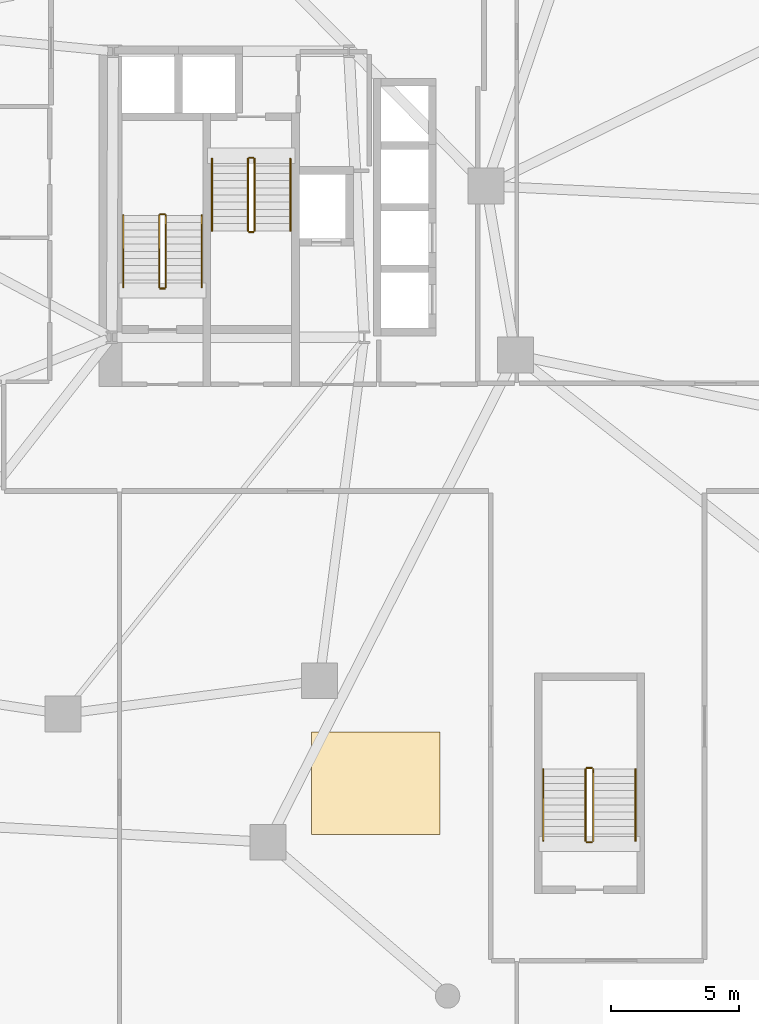
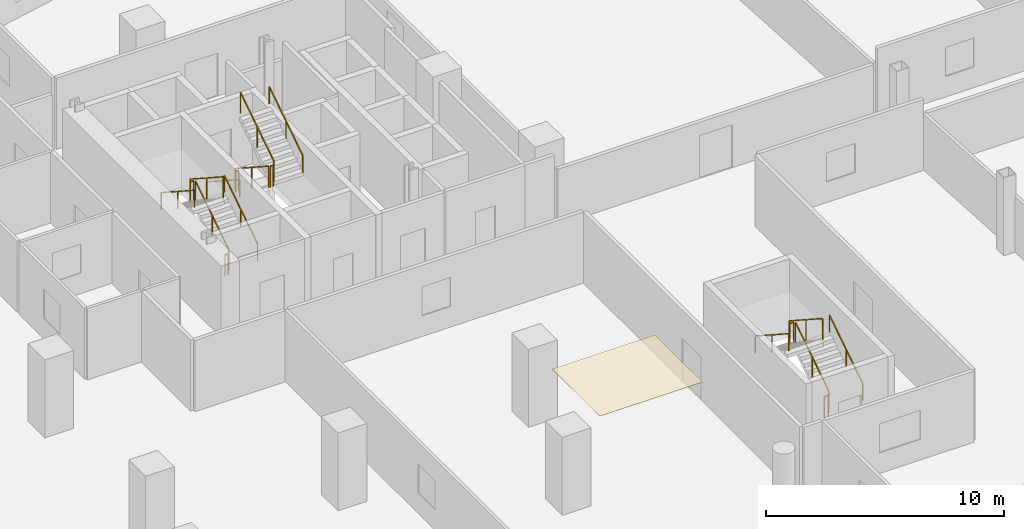
# One storey, part 18 of 19: 18 railings, 1 covering.
"""IFC4 building model written with IfcOpenShell, lengths in metres."""

from ifc_helpers import new_model, si_unit, direction, frame, origin, origin_2d, place, context, subcontext, project, spatial, polyline, rectangle, outline, extrude, material, layer, layer_set, type_object, element, save


model = new_model("IFC4")

# Units and contexts
model_context = context("Model", 3, precision=1e-05, world=origin(), true_north=direction((0.0, 1.0)))
body_context = subcontext(model_context, "Body", "Model", "MODEL_VIEW")
ifc_project = project(units=[si_unit("LENGTHUNIT", "METRE"), si_unit("AREAUNIT", "SQUARE_METRE"), si_unit("VOLUMEUNIT", "CUBIC_METRE"), si_unit("PLANEANGLEUNIT", "RADIAN"), si_unit("MASSUNIT", "GRAM", prefix="KILO"), si_unit("THERMODYNAMICTEMPERATUREUNIT", "KELVIN"), si_unit("POWERUNIT", "WATT")], contexts=[model_context])

# Site, building, storey
site_placement = place(None, origin())
site = spatial("IfcSite", under=ifc_project, at=site_placement, CompositionType="ELEMENT")
building_placement = place(site_placement, origin())
building = spatial("IfcBuilding", under=site, at=building_placement, Name="Cundina Bronze Exchange", CompositionType="ELEMENT")
storey_placement = place(building_placement, frame((0.0, 0.0, 16.0)))
storey = spatial("IfcBuildingStorey", under=building, at=storey_placement, Name="L03", CompositionType="ELEMENT", Elevation=16.0)

# Covering
ifc_material_1 = material(Name="Mineral Acoustic Ceiling Tile 18mm")
ifc_layer = layer(ifc_material_1, 0.01806640625, Name="Mineral Acoustic Ceiling Tile 18mm")
ifc_layer_set = layer_set([ifc_layer], Name="Mineral Acoustic Ceiling Tile 18mm")
covering_type = type_object("IfcCoveringType", Name="COV-CLG-AC18", PredefinedType="CEILING", material=ifc_layer_set)
covering_placement = place(storey_placement, frame((0.0, 0.0, 3.632080078125)))
element("IfcCovering", 1, at=covering_placement, inside=storey, type_object=covering_type, Name="L03 Suspended Mineral Acoustic Ceiling", PredefinedType="CEILING", context=body_context, shape_type="SweptSolid", body=[
    extrude(outline(polyline([(-23.5, -15.5), (-18.5, -15.5), (-18.5, -11.5), (-23.5, -11.5), (-23.5, -15.5)])), origin(), (0.0, 0.0, 1.0), 0.017822265625),
])

# Railings
ifc_material_2 = material(Name="Steel ASTM A36 Painted", Category="steel")
railing_type_1 = type_object("IfcRailingType", Name="RLG-HND-900", PredefinedType="HANDRAIL", material=ifc_material_2)
railing_1_placement = place(storey_placement, frame((-27.7900390625, 5.85009765625, 0.181884765625)))
element("IfcRailing", 2, at=railing_1_placement, inside=storey, type_object=railing_type_1, Name="L03 ST-W1 stair handrail 1", PredefinedType="HANDRAIL", context=body_context, shape_type="SweptSolid", body=[
    extrude(rectangle(XDim=0.048095703125, YDim=0.048095703125, at=origin_2d()), frame((0.0, 0.0, 0.8759765625), z_axis=(0.0, 0.83868413941, 0.544618136222), x_axis=(-1.0, 0.0, 0.0)), (0.0, 0.0, 1.0), 3.33837890625),
    extrude(rectangle(XDim=0.0419921875, YDim=0.0419921875, at=origin_2d()), origin(), (0.0, 0.0, 1.0), 0.851806640625),
    extrude(rectangle(XDim=0.0419921875, YDim=0.0419921875, at=origin_2d()), frame((0.0, 1.39990234375, 0.9091796875)), (0.0, 0.0, 1.0), 0.851806640625),
    extrude(rectangle(XDim=0.0419921875, YDim=0.0419921875, at=origin_2d()), frame((0.0, 2.7998046875, 1.818115234375)), (0.0, 0.0, 1.0), 0.851806640625),
])
railing_2_placement = place(storey_placement, frame((-30.85009765625, 8.64990234375, 2.181884765625)))
element("IfcRailing", 3, at=railing_2_placement, inside=storey, type_object=railing_type_1, Name="L03 ST-W1 stair handrail 2", PredefinedType="HANDRAIL", context=body_context, shape_type="SweptSolid", body=[
    extrude(rectangle(XDim=0.048095703125, YDim=0.048095703125, at=origin_2d()), frame((0.0, 0.0, 0.8759765625), z_axis=(0.0, -0.83868413941, 0.544618136222), x_axis=(1.0, 0.0, 0.0)), (0.0, 0.0, 1.0), 3.33837890625),
    extrude(rectangle(XDim=0.0419921875, YDim=0.0419921875, at=origin_2d()), origin(), (0.0, 0.0, 1.0), 0.851806640625),
    extrude(rectangle(XDim=0.0419921875, YDim=0.0419921875, at=origin_2d()), frame((0.0, -1.39990234375, 0.9091796875)), (0.0, 0.0, 1.0), 0.851806640625),
    extrude(rectangle(XDim=0.0419921875, YDim=0.0419921875, at=origin_2d()), frame((0.0, -2.7998046875, 1.818115234375)), (0.0, 0.0, 1.0), 0.851806640625),
])
railing_3_placement = place(storey_placement, frame((-27.389892578125, 10.85009765625, 0.181884765625)))
element("IfcRailing", 4, at=railing_3_placement, inside=storey, type_object=railing_type_1, Name="L03 ST-W2 stair handrail 1", PredefinedType="HANDRAIL", context=body_context, shape_type="SweptSolid", body=[
    extrude(rectangle(XDim=0.048095703125, YDim=0.048095703125, at=origin_2d()), frame((0.0, 0.0, 0.8759765625), z_axis=(0.0, -0.838705829183, 0.544584733623), x_axis=(1.0, 0.0, 0.0)), (0.0, 0.0, 1.0), 3.338623046875),
    extrude(rectangle(XDim=0.0419921875, YDim=0.0419921875, at=origin_2d()), origin(), (0.0, 0.0, 1.0), 0.851806640625),
    extrude(rectangle(XDim=0.0419921875, YDim=0.0419921875, at=origin_2d()), frame((0.0, -1.39990234375, 0.9091796875)), (0.0, 0.0, 1.0), 0.851806640625),
    extrude(rectangle(XDim=0.0419921875, YDim=0.0419921875, at=origin_2d()), frame((0.0, -2.800048828125, 1.818115234375)), (0.0, 0.0, 1.0), 0.851806640625),
])
for number, where, name in (
    (5, (-24.330078125, 8.050048828125, 2.181884765625), "L03 ST-W2 stair handrail 2"),
    (6, (-10.8701171875, -15.75, 0.181884765625), "L03 ST-PW stair handrail 1"),
):
    element("IfcRailing", number, at=place(storey_placement, frame(where)), inside=storey, type_object=railing_type_1, Name=name, PredefinedType="HANDRAIL", context=body_context, shape_type="SweptSolid", body=[
        extrude(rectangle(XDim=0.048095703125, YDim=0.048095703125, at=origin_2d()), frame((0.0, 0.0, 0.8759765625), z_axis=(0.0, 0.838705829183, 0.544584733623), x_axis=(-1.0, 0.0, 0.0)), (0.0, 0.0, 1.0), 3.338623046875),
        extrude(rectangle(XDim=0.0419921875, YDim=0.0419921875, at=origin_2d()), origin(), (0.0, 0.0, 1.0), 0.851806640625),
        extrude(rectangle(XDim=0.0419921875, YDim=0.0419921875, at=origin_2d()), frame((0.0, 1.39990234375, 0.9091796875)), (0.0, 0.0, 1.0), 0.851806640625),
        extrude(rectangle(XDim=0.0419921875, YDim=0.0419921875, at=origin_2d()), frame((0.0, 2.800048828125, 1.818115234375)), (0.0, 0.0, 1.0), 0.851806640625),
    ])
railing_4_placement = place(storey_placement, frame((-14.469970703125, -12.949951171875, 2.181884765625)))
element("IfcRailing", 7, at=railing_4_placement, inside=storey, type_object=railing_type_1, Name="L03 ST-PW stair handrail 2", PredefinedType="HANDRAIL", context=body_context, shape_type="SweptSolid", body=[
    extrude(rectangle(XDim=0.048095703125, YDim=0.048095703125, at=origin_2d()), frame((0.0, 0.0, 0.8759765625), z_axis=(0.0, -0.838705829183, 0.544584733623), x_axis=(1.0, 0.0, 0.0)), (0.0, 0.0, 1.0), 3.338623046875),
    extrude(rectangle(XDim=0.0419921875, YDim=0.0419921875, at=origin_2d()), origin(), (0.0, 0.0, 1.0), 0.851806640625),
    extrude(rectangle(XDim=0.0419921875, YDim=0.0419921875, at=origin_2d()), frame((0.0, -1.39990234375, 0.9091796875)), (0.0, 0.0, 1.0), 0.851806640625),
    extrude(rectangle(XDim=0.0419921875, YDim=0.0419921875, at=origin_2d()), frame((0.0, -2.800048828125, 1.818115234375)), (0.0, 0.0, 1.0), 0.851806640625),
])
railing_type_2 = type_object("IfcRailingType", Name="RLG-STG-1100", PredefinedType="GUARDRAIL", material=ifc_material_2)
railing_5_placement = place(storey_placement, frame((-29.18994140625, 5.85009765625, 0.181884765625)))
element("IfcRailing", 8, at=railing_5_placement, inside=storey, type_object=railing_type_2, Name="L03 ST-W1 stair guard 1", PredefinedType="GUARDRAIL", context=body_context, shape_type="SweptSolid", body=[
    extrude(rectangle(XDim=0.048095703125, YDim=0.048095703125, at=origin_2d()), frame((0.0, 0.0, 1.076171875), z_axis=(0.0, 0.83868413941, 0.544618136222), x_axis=(-1.0, 0.0, 0.0)), (0.0, 0.0, 1.0), 3.33837890625),
    extrude(rectangle(XDim=0.0419921875, YDim=0.0419921875, at=origin_2d()), origin(), (0.0, 0.0, 1.0), 1.052001953125),
    extrude(rectangle(XDim=0.0419921875, YDim=0.0419921875, at=origin_2d()), frame((0.0, 1.39990234375, 0.9091796875)), (0.0, 0.0, 1.0), 1.052001953125),
    extrude(rectangle(XDim=0.0419921875, YDim=0.0419921875, at=origin_2d()), frame((0.0, 2.7998046875, 1.818115234375)), (0.0, 0.0, 1.0), 1.052001953125),
])
railing_6_placement = place(storey_placement, frame((-29.239990234375, 8.699951171875, 2.0)))
element("IfcRailing", 9, at=railing_6_placement, inside=storey, type_object=railing_type_2, Name="L03 ST-W1 stair guard 2", PredefinedType="GUARDRAIL", context=body_context, shape_type="SweptSolid", body=[
    extrude(rectangle(XDim=0.048095703125, YDim=0.048095703125, at=origin_2d()), frame((0.0, 0.0, 1.076171875), z_axis=(-1.0, 0.0, 0.0), x_axis=(0.0, -1.0, 0.0)), (0.0, 0.0, 1.0), 0.159912109375),
    extrude(rectangle(XDim=0.0419921875, YDim=0.0419921875, at=origin_2d()), origin(), (0.0, 0.0, 1.0), 1.052001953125),
    extrude(rectangle(XDim=0.0419921875, YDim=0.0419921875, at=origin_2d()), frame((-0.159912109375, 0.0, 0.0)), (0.0, 0.0, 1.0), 1.052001953125),
])
railing_7_placement = place(storey_placement, frame((-29.449951171875, 8.64990234375, 2.181884765625)))
element("IfcRailing", 10, at=railing_7_placement, inside=storey, type_object=railing_type_2, Name="L03 ST-W1 stair guard 3", PredefinedType="GUARDRAIL", context=body_context, shape_type="SweptSolid", body=[
    extrude(rectangle(XDim=0.048095703125, YDim=0.048095703125, at=origin_2d()), frame((0.0, 0.0, 1.076171875), z_axis=(0.0, -0.83868413941, 0.544618136222), x_axis=(1.0, 0.0, 0.0)), (0.0, 0.0, 1.0), 3.33837890625),
    extrude(rectangle(XDim=0.0419921875, YDim=0.0419921875, at=origin_2d()), origin(), (0.0, 0.0, 1.0), 1.052001953125),
    extrude(rectangle(XDim=0.0419921875, YDim=0.0419921875, at=origin_2d()), frame((0.0, -1.39990234375, 0.9091796875)), (0.0, 0.0, 1.0), 1.052001953125),
    extrude(rectangle(XDim=0.0419921875, YDim=0.0419921875, at=origin_2d()), frame((0.0, -2.7998046875, 1.818115234375)), (0.0, 0.0, 1.0), 1.052001953125),
])
railing_8_placement = place(storey_placement, frame((-29.239990234375, 5.800048828125, 0.0)))
element("IfcRailing", 11, at=railing_8_placement, inside=storey, type_object=railing_type_2, Name="L03 ST-W1 stair guard 4", PredefinedType="GUARDRAIL", context=body_context, shape_type="SweptSolid", body=[
    extrude(rectangle(XDim=0.048095703125, YDim=0.048095703125, at=origin_2d()), frame((0.0, 0.0, 1.076171875), z_axis=(-1.0, 0.0, 0.0), x_axis=(0.0, -1.0, 0.0)), (0.0, 0.0, 1.0), 0.159912109375),
    extrude(rectangle(XDim=0.0419921875, YDim=0.0419921875, at=origin_2d()), origin(), (0.0, 0.0, 1.0), 1.052001953125),
    extrude(rectangle(XDim=0.0419921875, YDim=0.0419921875, at=origin_2d()), frame((-0.159912109375, 0.0, 0.0)), (0.0, 0.0, 1.0), 1.052001953125),
])
railing_9_placement = place(storey_placement, frame((-25.989990234375, 10.85009765625, 0.181884765625)))
element("IfcRailing", 12, at=railing_9_placement, inside=storey, type_object=railing_type_2, Name="L03 ST-W2 stair guard 1", PredefinedType="GUARDRAIL", context=body_context, shape_type="SweptSolid", body=[
    extrude(rectangle(XDim=0.048095703125, YDim=0.048095703125, at=origin_2d()), frame((0.0, 0.0, 1.076171875), z_axis=(0.0, -0.838705829183, 0.544584733623), x_axis=(1.0, 0.0, 0.0)), (0.0, 0.0, 1.0), 3.338623046875),
    extrude(rectangle(XDim=0.0419921875, YDim=0.0419921875, at=origin_2d()), origin(), (0.0, 0.0, 1.0), 1.052001953125),
    extrude(rectangle(XDim=0.0419921875, YDim=0.0419921875, at=origin_2d()), frame((0.0, -1.39990234375, 0.9091796875)), (0.0, 0.0, 1.0), 1.052001953125),
    extrude(rectangle(XDim=0.0419921875, YDim=0.0419921875, at=origin_2d()), frame((0.0, -2.800048828125, 1.818115234375)), (0.0, 0.0, 1.0), 1.052001953125),
])
railing_10_placement = place(storey_placement, frame((-25.93994140625, 8.0, 2.0)))
element("IfcRailing", 13, at=railing_10_placement, inside=storey, type_object=railing_type_2, Name="L03 ST-W2 stair guard 2", PredefinedType="GUARDRAIL", context=body_context, shape_type="SweptSolid", body=[
    extrude(rectangle(XDim=0.048095703125, YDim=0.048095703125, at=origin_2d()), frame((0.0, 0.0, 1.076171875), z_axis=(1.0, 0.0, 0.0), x_axis=(0.0, 1.0, 0.0)), (0.0, 0.0, 1.0), 0.159912109375),
    extrude(rectangle(XDim=0.0419921875, YDim=0.0419921875, at=origin_2d()), origin(), (0.0, 0.0, 1.0), 1.052001953125),
    extrude(rectangle(XDim=0.0419921875, YDim=0.0419921875, at=origin_2d()), frame((0.159912109375, 0.0, 0.0)), (0.0, 0.0, 1.0), 1.052001953125),
])
railing_11_placement = place(storey_placement, frame((-25.72998046875, 8.050048828125, 2.181884765625)))
element("IfcRailing", 14, at=railing_11_placement, inside=storey, type_object=railing_type_2, Name="L03 ST-W2 stair guard 3", PredefinedType="GUARDRAIL", context=body_context, shape_type="SweptSolid", body=[
    extrude(rectangle(XDim=0.048095703125, YDim=0.048095703125, at=origin_2d()), frame((0.0, 0.0, 1.076171875), z_axis=(0.0, 0.838705829183, 0.544584733623), x_axis=(-1.0, 0.0, 0.0)), (0.0, 0.0, 1.0), 3.338623046875),
    extrude(rectangle(XDim=0.0419921875, YDim=0.0419921875, at=origin_2d()), origin(), (0.0, 0.0, 1.0), 1.052001953125),
    extrude(rectangle(XDim=0.0419921875, YDim=0.0419921875, at=origin_2d()), frame((0.0, 1.39990234375, 0.9091796875)), (0.0, 0.0, 1.0), 1.052001953125),
    extrude(rectangle(XDim=0.0419921875, YDim=0.0419921875, at=origin_2d()), frame((0.0, 2.800048828125, 1.818115234375)), (0.0, 0.0, 1.0), 1.052001953125),
])
railing_12_placement = place(storey_placement, frame((-25.93994140625, 10.89990234375, 0.0)))
element("IfcRailing", 15, at=railing_12_placement, inside=storey, type_object=railing_type_2, Name="L03 ST-W2 stair guard 4", PredefinedType="GUARDRAIL", context=body_context, shape_type="SweptSolid", body=[
    extrude(rectangle(XDim=0.048095703125, YDim=0.048095703125, at=origin_2d()), frame((0.0, 0.0, 1.076171875), z_axis=(1.0, 0.0, 0.0), x_axis=(0.0, 1.0, 0.0)), (0.0, 0.0, 1.0), 0.159912109375),
    extrude(rectangle(XDim=0.0419921875, YDim=0.0419921875, at=origin_2d()), origin(), (0.0, 0.0, 1.0), 1.052001953125),
    extrude(rectangle(XDim=0.0419921875, YDim=0.0419921875, at=origin_2d()), frame((0.159912109375, 0.0, 0.0)), (0.0, 0.0, 1.0), 1.052001953125),
])
railing_13_placement = place(storey_placement, frame((-12.52001953125, -15.75, 0.181884765625)))
element("IfcRailing", 16, at=railing_13_placement, inside=storey, type_object=railing_type_2, Name="L03 ST-PW stair guard 1", PredefinedType="GUARDRAIL", context=body_context, shape_type="SweptSolid", body=[
    extrude(rectangle(XDim=0.048095703125, YDim=0.048095703125, at=origin_2d()), frame((0.0, 0.0, 1.076171875), z_axis=(0.0, 0.838705829183, 0.544584733623), x_axis=(-1.0, 0.0, 0.0)), (0.0, 0.0, 1.0), 3.338623046875),
    extrude(rectangle(XDim=0.0419921875, YDim=0.0419921875, at=origin_2d()), origin(), (0.0, 0.0, 1.0), 1.052001953125),
    extrude(rectangle(XDim=0.0419921875, YDim=0.0419921875, at=origin_2d()), frame((0.0, 1.39990234375, 0.9091796875)), (0.0, 0.0, 1.0), 1.052001953125),
    extrude(rectangle(XDim=0.0419921875, YDim=0.0419921875, at=origin_2d()), frame((0.0, 2.800048828125, 1.818115234375)), (0.0, 0.0, 1.0), 1.052001953125),
])
railing_14_placement = place(storey_placement, frame((-12.570068359375, -12.89990234375, 2.0)))
element("IfcRailing", 17, at=railing_14_placement, inside=storey, type_object=railing_type_2, Name="L03 ST-PW stair guard 2", PredefinedType="GUARDRAIL", context=body_context, shape_type="SweptSolid", body=[
    extrude(rectangle(XDim=0.048095703125, YDim=0.048095703125, at=origin_2d()), frame((0.0, 0.0, 1.076171875), z_axis=(-1.0, 0.0, 0.0), x_axis=(0.0, -1.0, 0.0)), (0.0, 0.0, 1.0), 0.199951171875),
    extrude(rectangle(XDim=0.0419921875, YDim=0.0419921875, at=origin_2d()), origin(), (0.0, 0.0, 1.0), 1.052001953125),
    extrude(rectangle(XDim=0.0419921875, YDim=0.0419921875, at=origin_2d()), frame((-0.199951171875, 0.0, 0.0)), (0.0, 0.0, 1.0), 1.052001953125),
])
railing_15_placement = place(storey_placement, frame((-12.820068359375, -12.949951171875, 2.181884765625)))
element("IfcRailing", 18, at=railing_15_placement, inside=storey, type_object=railing_type_2, Name="L03 ST-PW stair guard 3", PredefinedType="GUARDRAIL", context=body_context, shape_type="SweptSolid", body=[
    extrude(rectangle(XDim=0.048095703125, YDim=0.048095703125, at=origin_2d()), frame((0.0, 0.0, 1.076171875), z_axis=(0.0, -0.838705829183, 0.544584733623), x_axis=(1.0, 0.0, 0.0)), (0.0, 0.0, 1.0), 3.338623046875),
    extrude(rectangle(XDim=0.0419921875, YDim=0.0419921875, at=origin_2d()), origin(), (0.0, 0.0, 1.0), 1.052001953125),
    extrude(rectangle(XDim=0.0419921875, YDim=0.0419921875, at=origin_2d()), frame((0.0, -1.39990234375, 0.9091796875)), (0.0, 0.0, 1.0), 1.052001953125),
    extrude(rectangle(XDim=0.0419921875, YDim=0.0419921875, at=origin_2d()), frame((0.0, -2.800048828125, 1.818115234375)), (0.0, 0.0, 1.0), 1.052001953125),
])
railing_16_placement = place(storey_placement, frame((-12.570068359375, -15.800048828125, 0.0)))
element("IfcRailing", 19, at=railing_16_placement, inside=storey, type_object=railing_type_2, Name="L03 ST-PW stair guard 4", PredefinedType="GUARDRAIL", context=body_context, shape_type="SweptSolid", body=[
    extrude(rectangle(XDim=0.048095703125, YDim=0.048095703125, at=origin_2d()), frame((0.0, 0.0, 1.076171875), z_axis=(-1.0, 0.0, 0.0), x_axis=(0.0, -1.0, 0.0)), (0.0, 0.0, 1.0), 0.199951171875),
    extrude(rectangle(XDim=0.0419921875, YDim=0.0419921875, at=origin_2d()), origin(), (0.0, 0.0, 1.0), 1.052001953125),
    extrude(rectangle(XDim=0.0419921875, YDim=0.0419921875, at=origin_2d()), frame((-0.199951171875, 0.0, 0.0)), (0.0, 0.0, 1.0), 1.052001953125),
])

save(model, "model.ifc")
